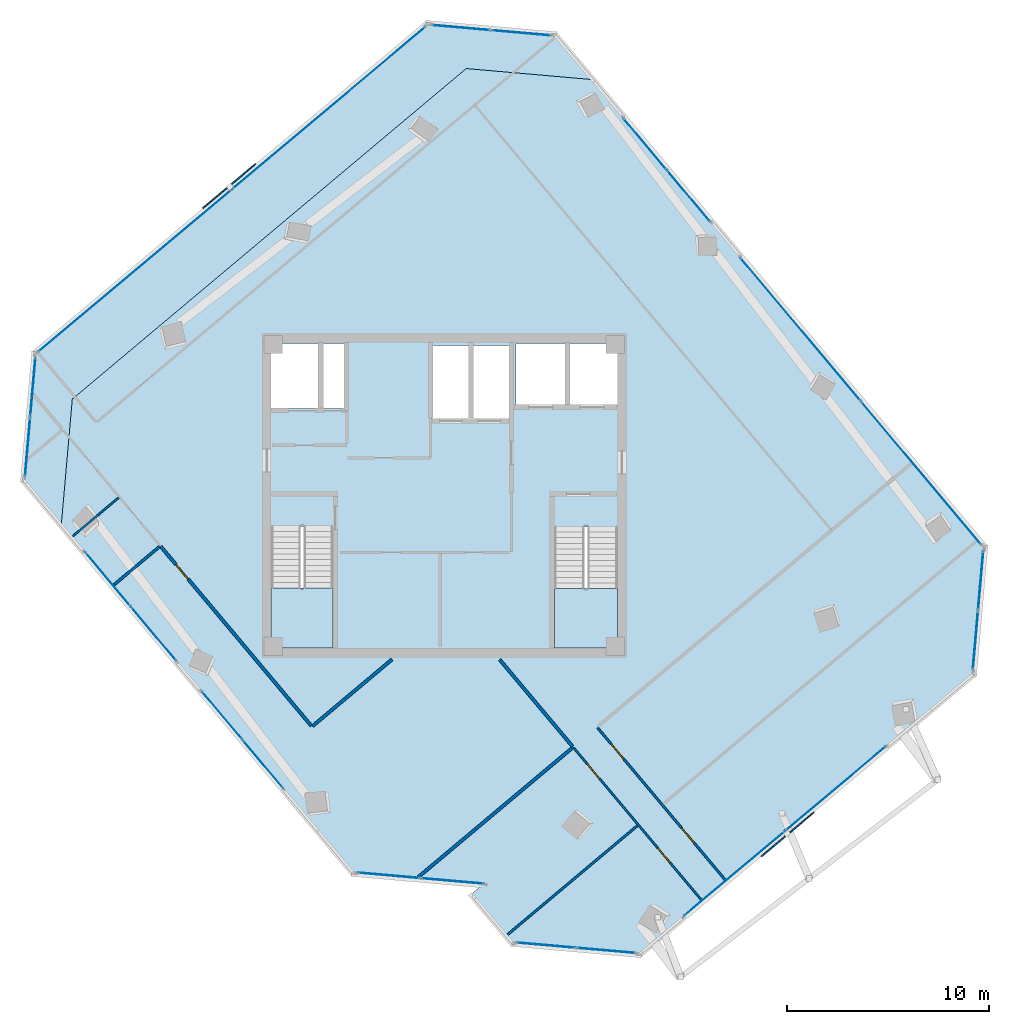
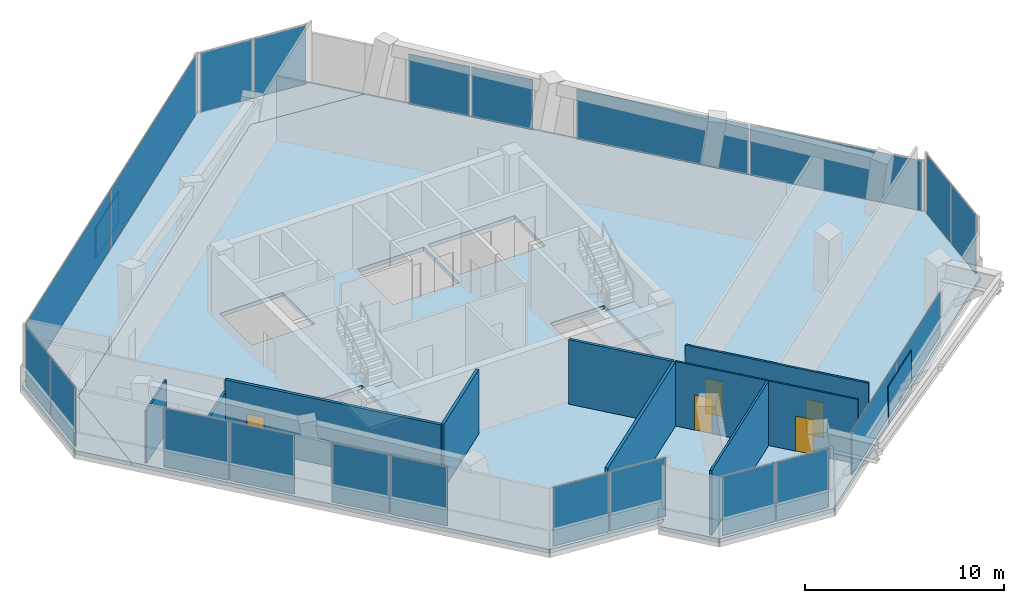
# One storey, part 12 of 17: 24 plates, 9 walls, 5 doors, 4 slabs, 5 openings, 13 elements without a shape of their own.
"""IFC4 building model written with IfcOpenShell, lengths in metres."""

from ifc_helpers import new_model, si_unit, direction, frame, frame_2d, origin, origin_2d, place, context, subcontext, project, spatial, polyline, rectangle, outline, extrude, source, transform, mapped, material, layer, layer_set, type_object, element, fill, aggregate, save


model = new_model("IFC4")

# Units and contexts
model_context = context("Model", 3, precision=1e-05, world=origin(), true_north=direction((0.0, 1.0)))
body_context = subcontext(model_context, "Body", "Model", "MODEL_VIEW")
ifc_project = project(units=[si_unit("LENGTHUNIT", "METRE"), si_unit("AREAUNIT", "SQUARE_METRE"), si_unit("VOLUMEUNIT", "CUBIC_METRE"), si_unit("PLANEANGLEUNIT", "RADIAN"), si_unit("MASSUNIT", "GRAM", prefix="KILO")], contexts=[model_context])

# Site, building, storey
site_placement = place(None, origin())
site = spatial("IfcSite", under=ifc_project, at=site_placement, CompositionType="ELEMENT")
building_placement = place(site_placement, origin())
building = spatial("IfcBuilding", under=site, at=building_placement, Name="Torre Montelarca", CompositionType="ELEMENT")
storey_placement = place(building_placement, frame((0.0, 0.0, 275.199951171875)))
storey = spatial("IfcBuildingStorey", under=building, at=storey_placement, Name="L62", CompositionType="ELEMENT", Elevation=275.199951171875)

# Slabs
ifc_material_1 = material(Name="Concrete C40/50", Category="concrete")
ifc_layer_1 = layer(ifc_material_1, 0.239990234375, Name="Concrete C40/50", Category="concrete")
ifc_layer_set_1 = layer_set([ifc_layer_1], Name="Concrete C40/50")
slab_type_1 = type_object("IfcSlabType", Name="SL-FLR-240", PredefinedType="FLOOR", material=ifc_layer_set_1)
slab_1_placement = place(storey_placement, frame((0.0, 0.0, -0.239990234375)))
element("IfcSlab", 1, at=slab_1_placement, inside=storey, type_object=slab_type_1, Name="L62 Structural Floor Slab", PredefinedType="FLOOR", context=body_context, shape_type="SweptSolid", body=[
    extrude(outline(polyline([(13.4716796875, 13.253662109375), (19.811279296875, 12.698974609375), (19.275146484375, 12.2490234375), (21.33203125, 9.797607421875), (27.671875, 9.2431640625), (44.218505859375, 23.127197265625), (44.77294921875, 29.467041015625), (25.425048828125, 52.52490234375), (19.08544921875, 53.07958984375), (-0.3720703125, 36.752685546875), (-0.9267578125, 30.4130859375), (13.4716796875, 13.253662109375)]), holes=[polyline([(26.550048828125, 24.449951171875), (23.43994140625, 24.449951171875), (23.43994140625, 30.429931640625), (26.550048828125, 30.429931640625), (26.550048828125, 24.449951171875)]), polyline([(12.5, 24.449951171875), (9.449951171875, 24.449951171875), (9.449951171875, 30.4599609375), (12.5, 30.4599609375), (12.5, 24.449951171875)]), polyline([(21.25, 39.39990234375), (21.25, 35.800048828125), (17.39990234375, 35.800048828125), (17.39990234375, 39.39990234375), (21.25, 39.39990234375)]), polyline([(13.1201171875, 36.300048828125), (9.449951171875, 36.300048828125), (9.449951171875, 39.5), (13.1201171875, 39.5), (13.1201171875, 36.300048828125)]), polyline([(26.60009765625, 36.449951171875), (21.550048828125, 36.449951171875), (21.550048828125, 39.5), (26.60009765625, 39.5), (26.60009765625, 36.449951171875)])]), origin(), (0.0, 0.0, 1.0), 0.239990234375),
])
slab_2_placement = place(storey_placement, frame((0.0, 0.0, -0.239990234375)))
element("IfcSlab", 2, at=slab_2_placement, inside=storey, type_object=slab_type_1, Name="L62 Sliding Tray Winter Garden Floor Slab W1", PredefinedType="FLOOR", context=body_context, shape_type="SweptSolid", body=[
    extrude(outline(polyline([(-0.9267578125, 30.4130859375), (-0.3720703125, 36.752685546875), (19.08544921875, 53.07958984375), (25.425048828125, 52.52490234375), (23.496826171875, 54.822998046875), (17.156982421875, 55.377685546875), (-2.300537109375, 39.05078125), (-2.855224609375, 32.711181640625), (-0.9267578125, 30.4130859375)])), origin(), (0.0, 0.0, 1.0), 0.239990234375),
])

# Stair, slab
stair_type_1 = type_object("IfcStairType", Name="ST-CORE-ST1", PredefinedType="HALF_TURN_STAIR", material=ifc_material_1)
stair_1_placement = place(storey_placement, origin())
stair_1 = element("IfcStair", 3, at=stair_1_placement, inside=storey, type_object=stair_type_1, Name="L62 Protected Exit Stair ST1", PredefinedType="HALF_TURN_STAIR")
ifc_layer_2 = layer(ifc_material_1, 0.199951171875, Name="Concrete C40/50", Category="concrete")
ifc_layer_set_2 = layer_set([ifc_layer_2], Name="Concrete C40/50")
slab_type_2 = type_object("IfcSlabType", Name="SL-ST-LAND-ST1", PredefinedType="LANDING", material=ifc_layer_set_2)
slab_3_placement = place(storey_placement, frame((0.0, 0.0, 1.900146484375)))
slab_3 = element("IfcSlab", 4, at=slab_3_placement, type_object=slab_type_2, Name="ST1 landing 1", PredefinedType="LANDING", context=body_context, shape_type="SweptSolid", body=[
    extrude(outline(polyline([(9.449951171875, 27.419921875), (9.449951171875, 24.449951171875), (12.5, 24.449951171875), (12.5, 27.419921875), (9.449951171875, 27.419921875)])), origin(), (0.0, 0.0, 1.0), 0.199951171875),
])
aggregate(stair_1, [slab_3])

stair_type_2 = type_object("IfcStairType", Name="ST-CORE-ST2", PredefinedType="HALF_TURN_STAIR", material=ifc_material_1)
stair_2_placement = place(storey_placement, origin())
stair_2 = element("IfcStair", 5, at=stair_2_placement, inside=storey, type_object=stair_type_2, Name="L62 Protected Exit Stair ST2", PredefinedType="HALF_TURN_STAIR")
ifc_layer_3 = layer(ifc_material_1, 0.199951171875, Name="Concrete C40/50", Category="concrete")
ifc_layer_set_3 = layer_set([ifc_layer_3], Name="Concrete C40/50")
slab_type_3 = type_object("IfcSlabType", Name="SL-ST-LAND-ST2", PredefinedType="LANDING", material=ifc_layer_set_3)
slab_4_placement = place(storey_placement, frame((0.0, 0.0, 1.900146484375)))
slab_4 = element("IfcSlab", 6, at=slab_4_placement, type_object=slab_type_3, Name="ST2 landing 1", PredefinedType="LANDING", context=body_context, shape_type="SweptSolid", body=[
    extrude(outline(polyline([(23.43994140625, 27.389892578125), (23.43994140625, 24.449951171875), (26.550048828125, 24.449951171875), (26.550048828125, 27.389892578125), (23.43994140625, 27.389892578125)])), origin(), (0.0, 0.0, 1.0), 0.199951171875),
])
aggregate(stair_2, [slab_4])

# Plates
ifc_material_2 = material(Name="Architectural perforated terracotta ceramic", Category="masonry")
ifc_layer_4 = layer(ifc_material_2, 0.06005859375, Name="Architectural perforated terracotta ceramic", Category="masonry")
ifc_layer_set_4 = layer_set([ifc_layer_4], Name="Architectural perforated terracotta ceramic")
plate_type_1 = type_object("IfcPlateType", Name="SCR-CER-60", PredefinedType="USERDEFINED", material=ifc_layer_set_4)
shared_shape_1 = source(origin(), body_context, "Body", "SweptSolid", [
    extrude(rectangle(XDim=3.39990234375, YDim=0.06005859375, at=origin_2d()), origin(), (0.0, 0.0, 1.0), 1.89990234375),
])
for number, where, z_axis, x_axis, name in (
    (7, (34.961669921875, 15.255615234375, 0.5), (0.0, 0.0, 1.0), (0.766045564994, 0.642786272686, 0.0), "L62 Perforated Ceramic Brise-Soleil Screen E6-1"),
    (8, (7.376708984375, 47.275634765625, 0.5), (0.0, 0.0, 1.0), (-0.766044443119, -0.642787609687, 0.0), "L62 Perforated Ceramic Brise-Soleil Screen E10-1"),
):
    element("IfcPlate", number, at=place(storey_placement, frame(where, z_axis=z_axis, x_axis=x_axis)), inside=storey, type_object=plate_type_1, Name=name, ObjectType="SOLAR SCREEN", PredefinedType="USERDEFINED", context=body_context, shape_type="MappedRepresentation", body=[
        mapped(shared_shape_1, transform((0.0, 0.0, 0.0), scale=1.0)),
    ])

# Curtain wall, plates
ifc_material_3 = material(Name="Insulated low-E laminated glass", Category="glass")
curtain_wall_type = type_object("IfcCurtainWallType", Name="CW-SYS-Z3", PredefinedType="USERDEFINED", material=ifc_material_3)
curtain_wall_1_placement = place(storey_placement, origin())
curtain_wall_1 = element("IfcCurtainWall", 9, at=curtain_wall_1_placement, inside=storey, type_object=curtain_wall_type, Name="L62 Curtain Wall Run CW-T3-L62-E02-B1", ObjectType="UNITISED GLAZING", PredefinedType="USERDEFINED")
ifc_layer_5 = layer(ifc_material_3, 0.031982421875, Name="Insulated low-E laminated glass", Category="glass")
ifc_layer_set_5 = layer_set([ifc_layer_5], Name="Insulated low-E laminated glass")
plate_type_2 = type_object("IfcPlateType", Name="CWP-GLZ-32", PredefinedType="CURTAIN_PANEL", material=ifc_layer_set_5)
shared_shape_2 = source(origin(), body_context, "Body", "SweptSolid", [
    extrude(rectangle(XDim=3.08740234375, YDim=0.031982421875, at=origin_2d()), origin(), (0.0, 0.0, 1.0), 3.610107421875),
])
plate_1_placement = place(storey_placement, frame((15.2607421875, 13.227783203125, 0.05517578125), z_axis=(0.0, 0.0, 1.0), x_axis=(0.996193123861, -0.087173734413, 0.0)))
plate_1 = element("IfcPlate", 10, at=plate_1_placement, type_object=plate_type_2, Name="CW panel 1.1", PredefinedType="CURTAIN_PANEL", context=body_context, shape_type="MappedRepresentation", body=[
    mapped(shared_shape_2, transform((0.0, 0.0, 0.0), scale=1.0)),
])
plate_2_placement = place(storey_placement, frame((18.4111328125, 12.951904296875, 0.05517578125), z_axis=(0.0, 0.0, 1.0), x_axis=(0.996193123861, -0.087173734413, 0.0)))
plate_2 = element("IfcPlate", 11, at=plate_2_placement, type_object=plate_type_2, Name="CW panel 2.1", PredefinedType="CURTAIN_PANEL", context=body_context, shape_type="MappedRepresentation", body=[
    mapped(shared_shape_2, transform((0.0, 0.0, 0.0), scale=1.0)),
])
aggregate(curtain_wall_1, [plate_1, plate_2])

curtain_wall_2_placement = place(storey_placement, origin())
curtain_wall_2 = element("IfcCurtainWall", 12, at=curtain_wall_2_placement, inside=storey, type_object=curtain_wall_type, Name="L62 Curtain Wall Run CW-T3-L62-E05-B1", ObjectType="UNITISED GLAZING", PredefinedType="USERDEFINED")
shared_shape_3 = source(origin(), body_context, "Body", "SweptSolid", [
    extrude(rectangle(XDim=2.903564453125, YDim=0.031982421875, at=origin_2d()), origin(), (0.0, 0.0, 1.0), 3.610107421875),
])
plate_3_placement = place(storey_placement, frame((23.02978515625, 9.77978515625, 0.05517578125), z_axis=(0.0, 0.0, 1.0), x_axis=(0.996193789473, -0.087166127681, 0.0)))
plate_3 = element("IfcPlate", 13, at=plate_3_placement, type_object=plate_type_2, Name="CW panel 1.1", PredefinedType="CURTAIN_PANEL", context=body_context, shape_type="MappedRepresentation", body=[
    mapped(shared_shape_3, transform((0.0, 0.0, 0.0), scale=1.0)),
])
plate_4_placement = place(storey_placement, frame((25.996826171875, 9.52001953125, 0.05517578125), z_axis=(0.0, 0.0, 1.0), x_axis=(0.996193789473, -0.087166127681, 0.0)))
plate_4 = element("IfcPlate", 14, at=plate_4_placement, type_object=plate_type_2, Name="CW panel 2.1", PredefinedType="CURTAIN_PANEL", context=body_context, shape_type="MappedRepresentation", body=[
    mapped(shared_shape_3, transform((0.0, 0.0, 0.0), scale=1.0)),
])
aggregate(curtain_wall_2, [plate_3, plate_4])

curtain_wall_3_placement = place(storey_placement, origin())
curtain_wall_3 = element("IfcCurtainWall", 15, at=curtain_wall_3_placement, inside=storey, type_object=curtain_wall_type, Name="L62 Curtain Wall Run CW-T3-L62-E07-B1", ObjectType="UNITISED GLAZING", PredefinedType="USERDEFINED")
plate_5_placement = place(storey_placement, frame((44.236328125, 24.824951171875, 0.05517578125), z_axis=(0.0, 0.0, 1.0), x_axis=(0.087166127681, 0.996193789473, 0.0)))
plate_5 = element("IfcPlate", 16, at=plate_5_placement, type_object=plate_type_2, Name="CW panel 1.1", PredefinedType="CURTAIN_PANEL", context=body_context, shape_type="MappedRepresentation", body=[
    mapped(shared_shape_3, transform((0.0, 0.0, 0.0), scale=1.0)),
])
plate_6_placement = place(storey_placement, frame((44.49609375, 27.792236328125, 0.05517578125), z_axis=(0.0, 0.0, 1.0), x_axis=(0.087166127681, 0.996193789473, 0.0)))
plate_6 = element("IfcPlate", 17, at=plate_6_placement, type_object=plate_type_2, Name="CW panel 2.1", PredefinedType="CURTAIN_PANEL", context=body_context, shape_type="MappedRepresentation", body=[
    mapped(shared_shape_3, transform((0.0, 0.0, 0.0), scale=1.0)),
])
aggregate(curtain_wall_3, [plate_5, plate_6])

curtain_wall_4_placement = place(storey_placement, origin())
curtain_wall_4 = element("IfcCurtainWall", 18, at=curtain_wall_4_placement, inside=storey, type_object=curtain_wall_type, Name="L62 Curtain Wall Run CW-T3-L62-E09-B1", ObjectType="UNITISED GLAZING", PredefinedType="USERDEFINED")
plate_7_placement = place(storey_placement, frame((21.79931640625, 54.841064453125, 0.05517578125), z_axis=(0.0, 0.0, 1.0), x_axis=(-0.996193915427, 0.087164688188, 0.0)))
plate_7 = element("IfcPlate", 19, at=plate_7_placement, type_object=plate_type_2, Name="CW panel 1.1", PredefinedType="CURTAIN_PANEL", context=body_context, shape_type="MappedRepresentation", body=[
    mapped(shared_shape_3, transform((0.0, 0.0, 0.0), scale=1.0)),
])
plate_8_placement = place(storey_placement, frame((18.831787109375, 55.100830078125, 0.05517578125), z_axis=(0.0, 0.0, 1.0), x_axis=(-0.996193915427, 0.087164688188, 0.0)))
plate_8 = element("IfcPlate", 20, at=plate_8_placement, type_object=plate_type_2, Name="CW panel 2.1", PredefinedType="CURTAIN_PANEL", context=body_context, shape_type="MappedRepresentation", body=[
    mapped(shared_shape_3, transform((0.0, 0.0, 0.0), scale=1.0)),
])
aggregate(curtain_wall_4, [plate_7, plate_8])

curtain_wall_5_placement = place(storey_placement, origin())
curtain_wall_5 = element("IfcCurtainWall", 21, at=curtain_wall_5_placement, inside=storey, type_object=curtain_wall_type, Name="L62 Curtain Wall Run CW-T3-L62-E11-B1", ObjectType="UNITISED GLAZING", PredefinedType="USERDEFINED")
plate_9_placement = place(storey_placement, frame((-2.318603515625, 37.353271484375, 0.05517578125), z_axis=(0.0, 0.0, 1.0), x_axis=(-0.087182579501, -0.996192349816, 0.0)))
plate_9 = element("IfcPlate", 22, at=plate_9_placement, type_object=plate_type_2, Name="CW panel 1.1", PredefinedType="CURTAIN_PANEL", context=body_context, shape_type="MappedRepresentation", body=[
    mapped(shared_shape_3, transform((0.0, 0.0, 0.0), scale=1.0)),
])
plate_10_placement = place(storey_placement, frame((-2.578125, 34.385986328125, 0.05517578125), z_axis=(0.0, 0.0, 1.0), x_axis=(-0.087182579501, -0.996192349816, 0.0)))
plate_10 = element("IfcPlate", 23, at=plate_10_placement, type_object=plate_type_2, Name="CW panel 2.1", PredefinedType="CURTAIN_PANEL", context=body_context, shape_type="MappedRepresentation", body=[
    mapped(shared_shape_3, transform((0.0, 0.0, 0.0), scale=1.0)),
])
aggregate(curtain_wall_5, [plate_9, plate_10])

curtain_wall_6_placement = place(storey_placement, origin())
curtain_wall_6 = element("IfcCurtainWall", 24, at=curtain_wall_6_placement, inside=storey, type_object=curtain_wall_type, Name="L62 Curtain Wall Run CW-T3-L62-E10-B1", ObjectType="UNITISED GLAZING", PredefinedType="USERDEFINED")
shared_shape_4 = source(origin(), body_context, "Body", "SweptSolid", [
    extrude(rectangle(XDim=12.421630859375, YDim=0.031982421875, at=origin_2d()), origin(), (0.0, 0.0, 1.0), 3.610107421875),
])
plate_11_placement = place(storey_placement, frame((12.29833984375, 51.131103515625, 0.05517578125), z_axis=(0.0, 0.0, 1.0), x_axis=(-0.766043772472, -0.642788408931, 0.0)))
plate_11 = element("IfcPlate", 25, at=plate_11_placement, type_object=plate_type_2, Name="CW panel 1.1", PredefinedType="CURTAIN_PANEL", context=body_context, shape_type="MappedRepresentation", body=[
    mapped(shared_shape_4, transform((0.0, 0.0, 0.0), scale=1.0)),
])
plate_12_placement = place(storey_placement, frame((2.725341796875, 43.098388671875, 0.05517578125), z_axis=(0.0, 0.0, 1.0), x_axis=(-0.766043772472, -0.642788408931, 0.0)))
plate_12 = element("IfcPlate", 26, at=plate_12_placement, type_object=plate_type_2, Name="CW panel 2.1", PredefinedType="CURTAIN_PANEL", context=body_context, shape_type="MappedRepresentation", body=[
    mapped(shared_shape_4, transform((0.0, 0.0, 0.0), scale=1.0)),
])
aggregate(curtain_wall_6, [plate_11, plate_12])

curtain_wall_7_placement = place(storey_placement, origin())
curtain_wall_7 = element("IfcCurtainWall", 27, at=curtain_wall_7_placement, inside=storey, type_object=curtain_wall_type, Name="L62 Curtain Wall Run CW-T3-L62-E01-B1", ObjectType="UNITISED GLAZING", PredefinedType="USERDEFINED")
shared_shape_5 = source(origin(), body_context, "Body", "SweptSolid", [
    extrude(rectangle(XDim=3.45751953125, YDim=0.031982421875, at=origin_2d()), origin(), (0.0, 0.0, 1.0), 3.610107421875),
])
plate_13_placement = place(storey_placement, frame((1.3798828125, 27.8662109375, 0.05517578125), z_axis=(0.0, 0.0, 1.0), x_axis=(0.642791272604, -0.766041369551, 0.0)))
plate_13 = element("IfcPlate", 28, at=plate_13_placement, type_object=plate_type_2, Name="CW panel 1.1", PredefinedType="CURTAIN_PANEL", context=body_context, shape_type="MappedRepresentation", body=[
    mapped(shared_shape_5, transform((0.0, 0.0, 0.0), scale=1.0)),
])
plate_14_placement = place(storey_placement, frame((3.650634765625, 25.16015625, 0.05517578125), z_axis=(0.0, 0.0, 1.0), x_axis=(0.642791272604, -0.766041369551, 0.0)))
plate_14 = element("IfcPlate", 29, at=plate_14_placement, type_object=plate_type_2, Name="CW panel 2.1", PredefinedType="CURTAIN_PANEL", context=body_context, shape_type="MappedRepresentation", body=[
    mapped(shared_shape_5, transform((0.0, 0.0, 0.0), scale=1.0)),
])
aggregate(curtain_wall_7, [plate_13, plate_14])

curtain_wall_8_placement = place(storey_placement, origin())
curtain_wall_8 = element("IfcCurtainWall", 30, at=curtain_wall_8_placement, inside=storey, type_object=curtain_wall_type, Name="L62 Curtain Wall Run CW-T3-L62-E01-B2", ObjectType="UNITISED GLAZING", PredefinedType="USERDEFINED")
shared_shape_6 = source(origin(), body_context, "Body", "SweptSolid", [
    extrude(rectangle(XDim=3.0546875, YDim=0.031982421875, at=origin_2d()), origin(), (0.0, 0.0, 1.0), 3.610107421875),
])
plate_15_placement = place(storey_placement, frame((7.03564453125, 21.1259765625, 0.05517578125), z_axis=(0.0, 0.0, 1.0), x_axis=(0.642792514978, -0.766040327064, 0.0)))
plate_15 = element("IfcPlate", 31, at=plate_15_placement, type_object=plate_type_2, Name="CW panel 1.1", PredefinedType="CURTAIN_PANEL", context=body_context, shape_type="MappedRepresentation", body=[
    mapped(shared_shape_6, transform((0.0, 0.0, 0.0), scale=1.0)),
])
plate_16_placement = place(storey_placement, frame((9.04736328125, 18.728515625, 0.05517578125), z_axis=(0.0, 0.0, 1.0), x_axis=(0.642792514978, -0.766040327064, 0.0)))
plate_16 = element("IfcPlate", 32, at=plate_16_placement, type_object=plate_type_2, Name="CW panel 2.1", PredefinedType="CURTAIN_PANEL", context=body_context, shape_type="MappedRepresentation", body=[
    mapped(shared_shape_6, transform((0.0, 0.0, 0.0), scale=1.0)),
])
aggregate(curtain_wall_8, [plate_15, plate_16])

curtain_wall_9_placement = place(storey_placement, origin())
curtain_wall_9 = element("IfcCurtainWall", 33, at=curtain_wall_9_placement, inside=storey, type_object=curtain_wall_type, Name="L62 Curtain Wall Run CW-T3-L62-E06-B1", ObjectType="UNITISED GLAZING", PredefinedType="USERDEFINED")
shared_shape_7 = source(origin(), body_context, "Body", "SweptSolid", [
    extrude(rectangle(XDim=6.45654296875, YDim=0.031982421875, at=origin_2d()), origin(), (0.0, 0.0, 1.0), 2.6650390625),
])
plate_17_placement = place(storey_placement, frame((32.324951171875, 13.317138671875, 0.054931640625), z_axis=(0.0, 0.0, 1.0), x_axis=(0.766042584818, 0.642789824317, 0.0)))
plate_17 = element("IfcPlate", 34, at=plate_17_placement, type_object=plate_type_2, Name="CW panel 1.1", PredefinedType="CURTAIN_PANEL", context=body_context, shape_type="MappedRepresentation", body=[
    mapped(shared_shape_7, transform((0.0, 0.0, 0.0), scale=1.0)),
])
plate_18_placement = place(storey_placement, frame((37.328369140625, 17.515625, 0.054931640625), z_axis=(0.0, 0.0, 1.0), x_axis=(0.766042584818, 0.642789824317, 0.0)))
plate_18 = element("IfcPlate", 35, at=plate_18_placement, type_object=plate_type_2, Name="CW panel 2.1", PredefinedType="CURTAIN_PANEL", context=body_context, shape_type="MappedRepresentation", body=[
    mapped(shared_shape_7, transform((0.0, 0.0, 0.0), scale=1.0)),
])
aggregate(curtain_wall_9, [plate_17, plate_18])

curtain_wall_10_placement = place(storey_placement, origin())
curtain_wall_10 = element("IfcCurtainWall", 36, at=curtain_wall_10_placement, inside=storey, type_object=curtain_wall_type, Name="L62 Curtain Wall Run CW-T3-L62-E08-B1", ObjectType="UNITISED GLAZING", PredefinedType="USERDEFINED")
shared_shape_8 = source(origin(), body_context, "Body", "SweptSolid", [
    extrude(rectangle(XDim=9.20751953125, YDim=0.031982421875, at=origin_2d()), origin(), (0.0, 0.0, 1.0), 3.06494140625),
])
plate_19_placement = place(storey_placement, frame((41.559326171875, 33.0947265625, 0.05517578125), z_axis=(0.0, 0.0, 1.0), x_axis=(-0.642784853631, 0.766046755716, 0.0)))
plate_19 = element("IfcPlate", 37, at=plate_19_placement, type_object=plate_type_2, Name="CW panel 1.1", PredefinedType="CURTAIN_PANEL", context=body_context, shape_type="MappedRepresentation", body=[
    mapped(shared_shape_8, transform((0.0, 0.0, 0.0), scale=1.0)),
])
plate_20_placement = place(storey_placement, frame((35.5927734375, 40.20556640625, 0.05517578125), z_axis=(0.0, 0.0, 1.0), x_axis=(-0.642784853631, 0.766046755716, 0.0)))
plate_20 = element("IfcPlate", 38, at=plate_20_placement, type_object=plate_type_2, Name="CW panel 2.1", PredefinedType="CURTAIN_PANEL", context=body_context, shape_type="MappedRepresentation", body=[
    mapped(shared_shape_8, transform((0.0, 0.0, 0.0), scale=1.0)),
])
aggregate(curtain_wall_10, [plate_19, plate_20])

curtain_wall_11_placement = place(storey_placement, origin())
curtain_wall_11 = element("IfcCurtainWall", 39, at=curtain_wall_11_placement, inside=storey, type_object=curtain_wall_type, Name="L62 Curtain Wall Run CW-T3-L62-E08-B2", ObjectType="UNITISED GLAZING", PredefinedType="USERDEFINED")
shared_shape_9 = source(origin(), body_context, "Body", "SweptSolid", [
    extrude(rectangle(XDim=3.287109375, YDim=0.031982421875, at=origin_2d()), origin(), (0.0, 0.0, 1.0), 3.06494140625),
])
plate_21_placement = place(storey_placement, frame((30.071533203125, 46.785400390625, 0.05517578125), z_axis=(0.0, 0.0, 1.0), x_axis=(-0.642784646021, 0.76604692992, 0.0)))
plate_21 = element("IfcPlate", 40, at=plate_21_placement, type_object=plate_type_2, Name="CW panel 1.1", PredefinedType="CURTAIN_PANEL", context=body_context, shape_type="MappedRepresentation", body=[
    mapped(shared_shape_9, transform((0.0, 0.0, 0.0), scale=1.0)),
])
plate_22_placement = place(storey_placement, frame((27.910400390625, 49.36083984375, 0.05517578125), z_axis=(0.0, 0.0, 1.0), x_axis=(-0.642784646021, 0.76604692992, 0.0)))
plate_22 = element("IfcPlate", 41, at=plate_22_placement, type_object=plate_type_2, Name="CW panel 2.1", PredefinedType="CURTAIN_PANEL", context=body_context, shape_type="MappedRepresentation", body=[
    mapped(shared_shape_9, transform((0.0, 0.0, 0.0), scale=1.0)),
])
aggregate(curtain_wall_11, [plate_21, plate_22])

# Wall, opening, door
ifc_material_4 = material(Name="Gypsum plasterboard on steel stud", Category="steel")
ifc_layer_6 = layer(ifc_material_4, 0.159912109375, Name="Gypsum plasterboard on steel stud", Category="steel")
ifc_layer_set_6 = layer_set([ifc_layer_6], Name="Gypsum plasterboard on steel stud")
wall_type_1 = type_object("IfcWallType", Name="PW-FIRE-160", PredefinedType="PARTITIONING", material=ifc_layer_set_6)
wall_1_placement = place(storey_placement, frame((4.001953125, 29.470703125, 0.0), z_axis=(0.0, 0.0, 1.0), x_axis=(0.642802048813, -0.766032327021, 0.0)))
wall_1 = element("IfcWall", 42, at=wall_1_placement, inside=storey, type_object=wall_type_1, Name="L62 Interior Partition W-L62-SOCCN", PredefinedType="PARTITIONING", context=body_context, shape_type="SweptSolid", body=[
    extrude(rectangle(XDim=11.570068359375, YDim=0.159912109375, at=frame_2d((5.78515625, 0.0))), origin(), (0.0, 0.0, 1.0), 3.9599609375),
])
opening_1_placement = place(wall_1_placement, frame((1.14990234375, 0.0, 0.0)))
opening_1 = element("IfcOpeningElement", 43, at=opening_1_placement, cuts=wall_1, Name="Opening FD-095", PredefinedType="OPENING", context=body_context, shape_type="SweptSolid", body=[
    extrude(rectangle(XDim=0.949951171875, YDim=2.14990234375, at=frame_2d((0.47509765625, 1.074951171875))), frame((0.0, 0.08984375, 0.0), z_axis=(0.0, -1.0, 0.0), x_axis=(1.0, 0.0, 0.0)), (0.0, 0.0, 1.0), 0.179931640625),
])
ifc_material_5 = material(Name="Timber fire-rated room door", Category="wood")
door_type_1 = type_object("IfcDoorType", Name="DR-FIRE-095", OperationType="NOTDEFINED", PredefinedType="DOOR", material=ifc_material_5)
shared_shape_10 = source(origin(), body_context, "Body", "SweptSolid", [
    extrude(rectangle(XDim=0.949951171875, YDim=2.14990234375, at=frame_2d((0.47509765625, 1.074951171875))), frame((0.0, 0.02490234375, 0.0), z_axis=(0.0, -1.0, 0.0), x_axis=(1.0, 0.0, 0.0)), (0.0, 0.0, 1.0), 0.050048828125),
])
door_1_placement = place(opening_1_placement, origin())
door_1 = element("IfcDoor", 44, at=door_1_placement, inside=storey, type_object=door_type_1, Name="L62 Interior Door 07", OperationType="SINGLE_SWING_RIGHT", OverallHeight=2.14990234375, OverallWidth=0.949951171875, PredefinedType="DOOR", context=body_context, shape_type="MappedRepresentation", body=[
    mapped(shared_shape_10, transform((0.0, 0.0, 0.0), scale=1.0)),
])
fill(opening_1, door_1)

# Walls
wall_2_placement = place(storey_placement, frame((11.495361328125, 20.602783203125, 0.0), z_axis=(0.0, 0.0, 1.0), x_axis=(0.766059769702, 0.642769343734, 0.0)))
element("IfcWall", 45, at=wall_2_placement, inside=storey, type_object=wall_type_1, Name="L62 Interior Partition W-L62-SOCCW3", PredefinedType="PARTITIONING", context=body_context, shape_type="SweptSolid", body=[
    extrude(rectangle(XDim=5.120849609375, YDim=0.159912109375, at=frame_2d((2.560546875, 0.0))), origin(), (0.0, 0.0, 1.0), 3.9599609375),
])
wall_3_placement = place(storey_placement, frame((20.734375, 23.889404296875, 0.0), z_axis=(0.0, 0.0, 1.0), x_axis=(0.642758145725, -0.766069165353, 0.0)))
element("IfcWall", 46, at=wall_3_placement, inside=storey, type_object=wall_type_1, Name="L62 Interior Partition W-L62-SOCCN3", PredefinedType="PARTITIONING", context=body_context, shape_type="SweptSolid", body=[
    extrude(rectangle(XDim=5.60888671875, YDim=0.159912109375, at=frame_2d((2.804443359375, 0.0))), origin(), (0.0, 0.0, 1.0), 3.9599609375),
])
wall_4_placement = place(storey_placement, frame((16.711181640625, 13.13916015625, 0.0), z_axis=(0.0, 0.0, 1.0), x_axis=(0.766041122188, 0.642791567398, 0.0)))
element("IfcWall", 47, at=wall_4_placement, inside=storey, type_object=wall_type_1, Name="L62 Interior Partition W-L62-ECS", PredefinedType="PARTITIONING", context=body_context, shape_type="SweptSolid", body=[
    extrude(rectangle(XDim=9.951904296875, YDim=0.159912109375, at=frame_2d((4.97607421875, 0.0))), origin(), (0.0, 0.0, 1.0), 3.9599609375),
])
ifc_material_6 = material(Name="Acoustic laminated glass partition", Category="glass")
ifc_layer_7 = layer(ifc_material_6, 0.10009765625, Name="Acoustic laminated glass partition", Category="glass")
ifc_layer_set_7 = layer_set([ifc_layer_7], Name="Acoustic laminated glass partition")
wall_type_2 = type_object("IfcWallType", Name="PW-GLAZ-100", PredefinedType="PARTITIONING", material=ifc_layer_set_7)
wall_5_placement = place(storey_placement, frame((-0.339111328125, 29.992431640625, 0.0), z_axis=(0.0, 0.0, 1.0), x_axis=(0.766025914603, 0.642809690465, 0.0)))
element("IfcWall", 48, at=wall_5_placement, inside=storey, type_object=wall_type_2, Name="L62 Interior Partition W-L62-WCD", PredefinedType="PARTITIONING", context=body_context, shape_type="SweptSolid", body=[
    extrude(rectangle(XDim=2.9501953125, YDim=0.10009765625, at=frame_2d((1.47509765625, 0.0))), origin(), (0.0, 0.0, 1.0), 3.195068359375),
])

# Wall, openings, doors
wall_6_placement = place(storey_placement, frame((24.39111328125, 19.53125, 0.0), z_axis=(0.0, 0.0, 1.0), x_axis=(0.642797456481, -0.76603618057, 0.0)))
wall_6 = element("IfcWall", 49, at=wall_6_placement, inside=storey, type_object=wall_type_2, Name="L62 Interior Partition W-L62-SE-N", PredefinedType="PARTITIONING", context=body_context, shape_type="SweptSolid", body=[
    extrude(rectangle(XDim=9.81005859375, YDim=0.10009765625, at=frame_2d((4.905029296875, 0.0))), origin(), (0.0, 0.0, 1.0), 3.9599609375),
])
opening_2_placement = place(wall_6_placement, frame((1.050048828125, 0.0, 0.0)))
opening_2 = element("IfcOpeningElement", 50, at=opening_2_placement, cuts=wall_6, Name="Opening ID-095", PredefinedType="OPENING", context=body_context, shape_type="SweptSolid", body=[
    extrude(rectangle(XDim=0.949951171875, YDim=2.14990234375, at=frame_2d((0.47509765625, 1.074951171875))), frame((0.0, 0.06005859375, 0.0), z_axis=(0.0, -1.0, 0.0), x_axis=(1.0, 0.0, 0.0)), (0.0, 0.0, 1.0), 0.1201171875),
])
opening_3_placement = place(wall_6_placement, frame((6.4599609375, 0.0, 0.0)))
opening_3 = element("IfcOpeningElement", 51, at=opening_3_placement, cuts=wall_6, Name="Opening ID-095", PredefinedType="OPENING", context=body_context, shape_type="SweptSolid", body=[
    extrude(rectangle(XDim=0.949951171875, YDim=2.14990234375, at=frame_2d((0.47509765625, 1.074951171875))), frame((0.0, 0.06005859375, 0.0), z_axis=(0.0, -1.0, 0.0), x_axis=(1.0, 0.0, 0.0)), (0.0, 0.0, 1.0), 0.1201171875),
])
ifc_material_7 = material(Name="Hardwood acoustic timber veneer", Category="wood")
door_type_2 = type_object("IfcDoorType", Name="DR-INT-095", OperationType="NOTDEFINED", PredefinedType="DOOR", material=ifc_material_7)
shared_shape_11 = source(origin(), body_context, "Body", "SweptSolid", [
    extrude(rectangle(XDim=0.949951171875, YDim=2.14990234375, at=frame_2d((0.47509765625, 1.074951171875))), frame((0.0, 0.02490234375, 0.0), z_axis=(0.0, -1.0, 0.0), x_axis=(1.0, 0.0, 0.0)), (0.0, 0.0, 1.0), 0.050048828125),
])
door_2_placement = place(opening_2_placement, origin())
door_2 = element("IfcDoor", 52, at=door_2_placement, inside=storey, type_object=door_type_2, Name="L62 Interior Door 12", OperationType="SINGLE_SWING_LEFT", OverallHeight=2.14990234375, OverallWidth=0.949951171875, PredefinedType="DOOR", context=body_context, shape_type="MappedRepresentation", body=[
    mapped(shared_shape_11, transform((0.0, 0.0, 0.0), scale=1.0)),
])
fill(opening_2, door_2)
door_3_placement = place(opening_3_placement, origin())
door_3 = element("IfcDoor", 53, at=door_3_placement, inside=storey, type_object=door_type_2, Name="L62 Interior Door 13", OperationType="SINGLE_SWING_RIGHT", OverallHeight=2.14990234375, OverallWidth=0.949951171875, PredefinedType="DOOR", context=body_context, shape_type="MappedRepresentation", body=[
    mapped(shared_shape_11, transform((0.0, 0.0, 0.0), scale=1.0)),
])
fill(opening_3, door_3)

ifc_layer_8 = layer(ifc_material_4, 0.114990234375, Name="Gypsum plasterboard on steel stud", Category="steel")
ifc_layer_set_8 = layer_set([ifc_layer_8], Name="Gypsum plasterboard on steel stud")
wall_type_3 = type_object("IfcWallType", Name="PW-PART-115", PredefinedType="PARTITIONING", material=ifc_layer_set_8)
wall_7_placement = place(storey_placement, frame((25.57080078125, 20.521240234375, 0.0), z_axis=(0.0, 0.0, 1.0), x_axis=(0.64278520229, -0.766046463158, 0.0)))
wall_7 = element("IfcWall", 54, at=wall_7_placement, inside=storey, type_object=wall_type_3, Name="L62 Interior Partition W-L62-NE-S", PredefinedType="PARTITIONING", context=body_context, shape_type="SweptSolid", body=[
    extrude(rectangle(XDim=9.810302734375, YDim=0.114990234375, at=frame_2d((4.9052734375, 0.0))), origin(), (0.0, 0.0, 1.0), 3.9599609375),
])
opening_4_placement = place(wall_7_placement, frame((1.050048828125, 0.0, 0.0)))
opening_4 = element("IfcOpeningElement", 55, at=opening_4_placement, cuts=wall_7, Name="Opening ID-095", PredefinedType="OPENING", context=body_context, shape_type="SweptSolid", body=[
    extrude(rectangle(XDim=0.949951171875, YDim=2.14990234375, at=frame_2d((0.47509765625, 1.074951171875))), frame((0.0, 0.0673828125, 0.0), z_axis=(0.0, -1.0, 0.0), x_axis=(1.0, 0.0, 0.0)), (0.0, 0.0, 1.0), 0.135009765625),
])
opening_5_placement = place(wall_7_placement, frame((6.4599609375, 0.0, 0.0)))
opening_5 = element("IfcOpeningElement", 56, at=opening_5_placement, cuts=wall_7, Name="Opening ID-095", PredefinedType="OPENING", context=body_context, shape_type="SweptSolid", body=[
    extrude(rectangle(XDim=0.949951171875, YDim=2.14990234375, at=frame_2d((0.47509765625, 1.074951171875))), frame((0.0, 0.0673828125, 0.0), z_axis=(0.0, -1.0, 0.0), x_axis=(1.0, 0.0, 0.0)), (0.0, 0.0, 1.0), 0.135009765625),
])
door_4_placement = place(opening_4_placement, origin())
door_4 = element("IfcDoor", 57, at=door_4_placement, inside=storey, type_object=door_type_2, Name="L62 Interior Door 10", OperationType="SINGLE_SWING_LEFT", OverallHeight=2.14990234375, OverallWidth=0.949951171875, PredefinedType="DOOR", context=body_context, shape_type="MappedRepresentation", body=[
    mapped(shared_shape_11, transform((0.0, 0.0, 0.0), scale=1.0)),
])
fill(opening_4, door_4)
door_5_placement = place(opening_5_placement, origin())
door_5 = element("IfcDoor", 58, at=door_5_placement, inside=storey, type_object=door_type_2, Name="L62 Interior Door 11", OperationType="SINGLE_SWING_RIGHT", OverallHeight=2.14990234375, OverallWidth=0.949951171875, PredefinedType="DOOR", context=body_context, shape_type="MappedRepresentation", body=[
    mapped(shared_shape_11, transform((0.0, 0.0, 0.0), scale=1.0)),
])
fill(opening_5, door_5)

# Walls
wall_8_placement = place(storey_placement, frame((21.1357421875, 10.311767578125, 0.0), z_axis=(0.0, 0.0, 1.0), x_axis=(0.766048541695, 0.642782725162, 0.0)))
element("IfcWall", 59, at=wall_8_placement, inside=storey, type_object=wall_type_3, Name="L62 Interior Partition W-L62-SEDIV-1", PredefinedType="PARTITIONING", context=body_context, shape_type="SweptSolid", body=[
    extrude(rectangle(XDim=8.3798828125, YDim=0.114990234375, at=frame_2d((4.18994140625, 0.0))), origin(), (0.0, 0.0, 1.0), 3.9599609375),
])
ifc_layer_9 = layer(ifc_material_4, 0.135009765625, Name="Gypsum plasterboard on steel stud", Category="steel")
ifc_layer_set_9 = layer_set([ifc_layer_9], Name="Gypsum plasterboard on steel stud")
wall_type_4 = type_object("IfcWallType", Name="PW-PART-135", PredefinedType="PARTITIONING", material=ifc_layer_set_9)
wall_9_placement = place(storey_placement, frame((1.685791015625, 27.57958984375, 0.0), z_axis=(0.0, 0.0, 1.0), x_axis=(0.766107411761, 0.642712559116, 0.0)))
element("IfcWall", 60, at=wall_9_placement, inside=storey, type_object=wall_type_4, Name="L62 Interior Partition W-L62-SWCDIV", PredefinedType="PARTITIONING", context=body_context, shape_type="SweptSolid", body=[
    extrude(rectangle(XDim=2.949951171875, YDim=0.135009765625, at=frame_2d((1.47509765625, 0.0))), origin(), (0.0, 0.0, 1.0), 3.195068359375),
])

save(model, "model.ifc")
